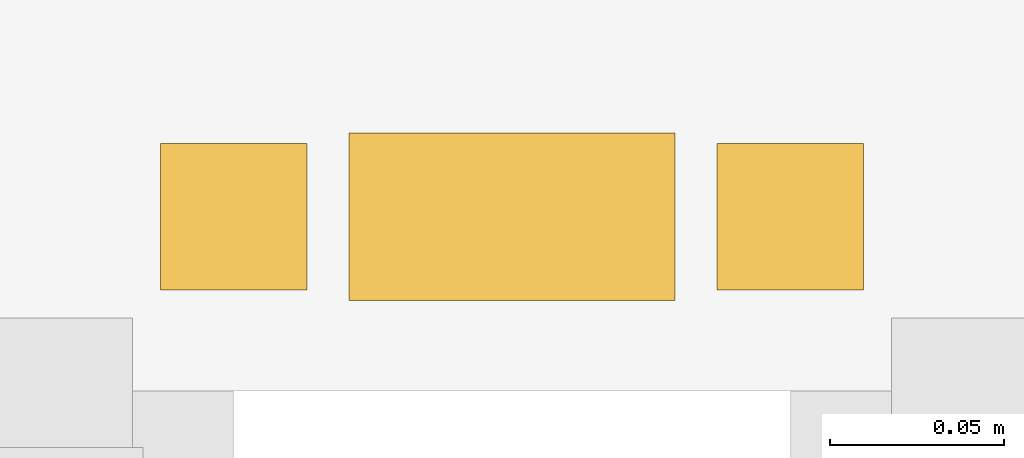
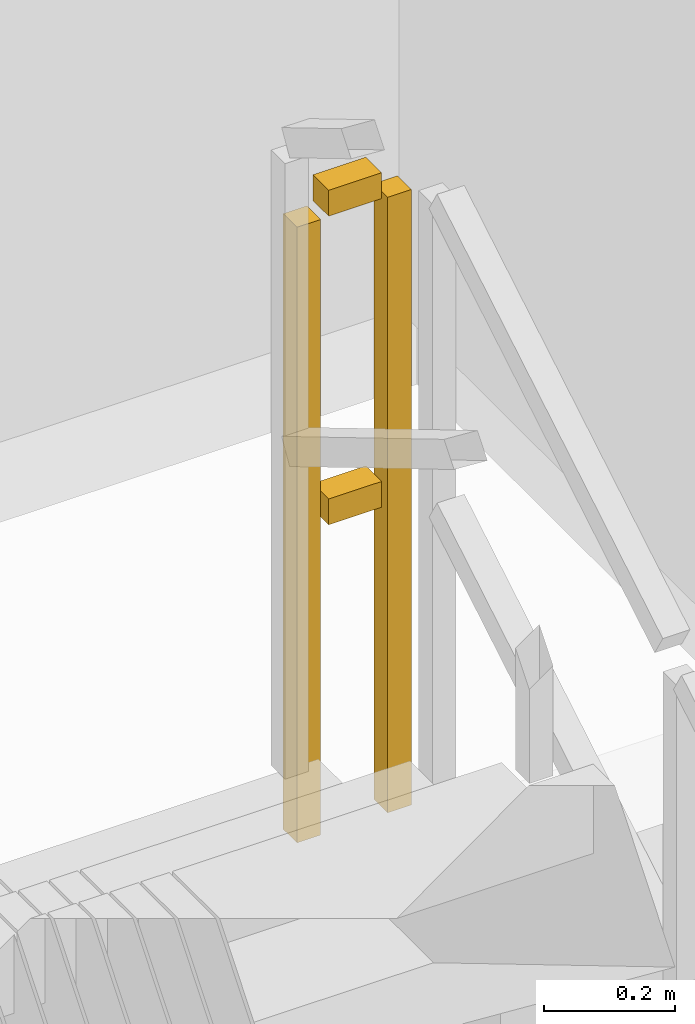
# One storey, part 15 of 15: 1 railing.
"""IFC4 building model written with IfcOpenShell, lengths in metres."""

from ifc_helpers import new_model, si_unit, direction, frame, origin, origin_2d, place, context, subcontext, project, spatial, rectangle, extrude, material, type_object, element, save


model = new_model("IFC4")

# Units and contexts
model_context = context("Model", 3, precision=1e-05, world=origin(), true_north=direction((0.0, 1.0)))
body_context = subcontext(model_context, "Body", "Model", "MODEL_VIEW")
ifc_project = project(units=[si_unit("LENGTHUNIT", "METRE"), si_unit("AREAUNIT", "SQUARE_METRE"), si_unit("VOLUMEUNIT", "CUBIC_METRE"), si_unit("PLANEANGLEUNIT", "RADIAN"), si_unit("MASSUNIT", "GRAM", prefix="KILO")], contexts=[model_context])

# Site, building, storey
site_placement = place(None, origin())
site = spatial("IfcSite", under=ifc_project, at=site_placement, CompositionType="ELEMENT")
building_placement = place(site_placement, origin())
building = spatial("IfcBuilding", under=site, at=building_placement, Name="Saelheon Loggia Tower", CompositionType="ELEMENT")
storey_placement = place(building_placement, frame((0.0, 0.0, 77.85009765625)))
storey = spatial("IfcBuildingStorey", under=building, at=storey_placement, Name="L24", CompositionType="ELEMENT", Elevation=77.85009765625)

# Railing
ifc_material = material(Name="Galvanised Steel S275 Stairwell Guardrail", Category="steel")
railing_type = type_object("IfcRailingType", Name="Guard_StairWell_RL_STG", PredefinedType="GUARDRAIL", material=ifc_material)
railing_placement = place(storey_placement, frame((42.489990234375, 32.739990234375, 1.5)))
element("IfcRailing", 1, at=railing_placement, inside=storey, type_object=railing_type, Name="L24 ST2 stair guard 2", PredefinedType="GUARDRAIL", context=body_context, shape_type="SweptSolid", body=[
    extrude(rectangle(XDim=0.048095703125, YDim=0.048095703125, at=origin_2d()), frame((-0.033203125, 0.0, 1.17578125), z_axis=(-1.0, 0.0, 0.0), x_axis=(0.0, -1.0, 0.0)), (0.0, 0.0, 1.0), 0.093505859375),
    extrude(rectangle(XDim=0.048095703125, YDim=0.048095703125, at=origin_2d()), frame((-0.033203125, 0.0, 0.60009765625), z_axis=(-1.0, 0.0, 0.0), x_axis=(0.0, -1.0, 0.0)), (0.0, 0.0, 1.0), 0.093505859375),
    extrude(rectangle(XDim=0.0419921875, YDim=0.0419921875, at=origin_2d()), origin(), (0.0, 0.0, 1.0), 1.14794921875),
    extrude(rectangle(XDim=0.0419921875, YDim=0.0419921875, at=origin_2d()), frame((-0.159912109375, 0.0, 0.0)), (0.0, 0.0, 1.0), 1.14794921875),
])

save(model, "model.ifc")
